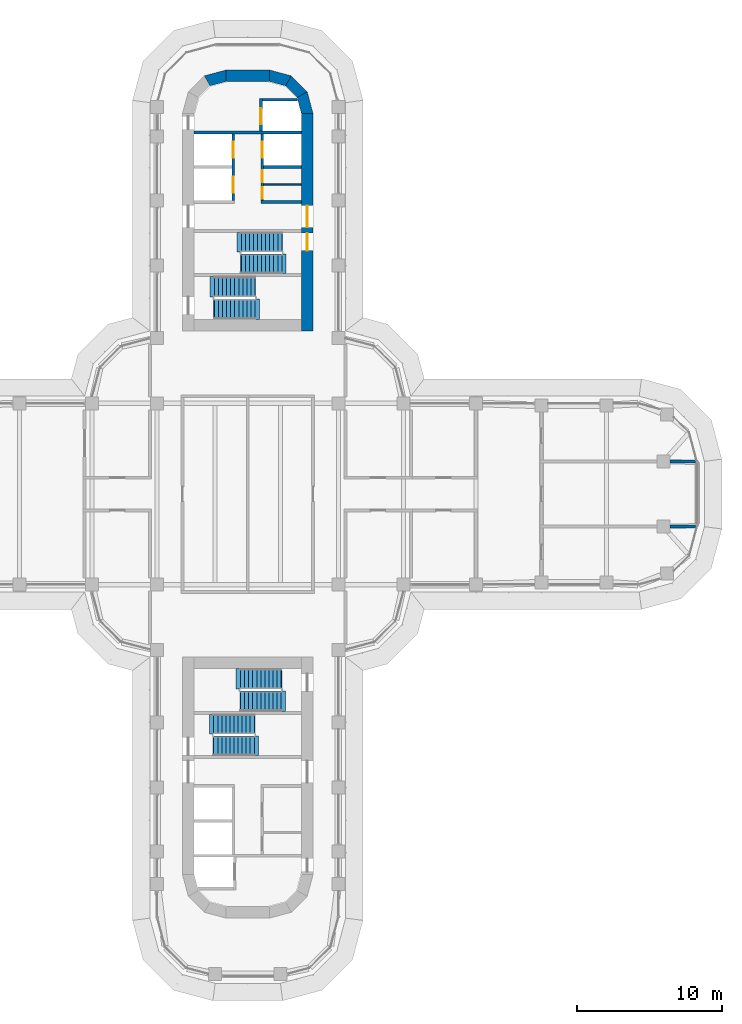
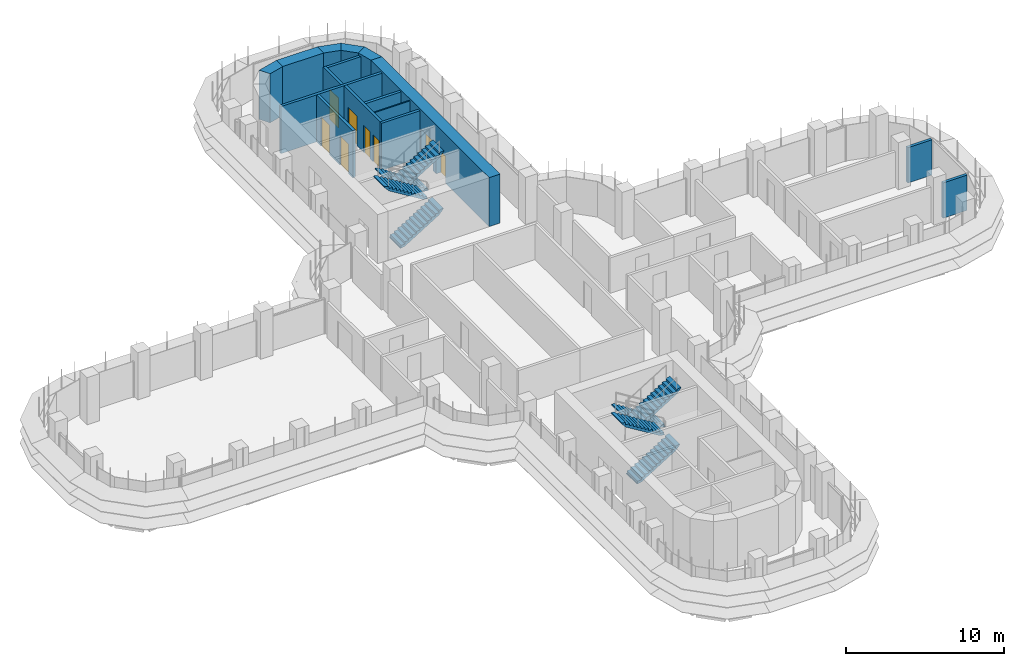
# One storey, part 17 of 21: 16 walls, 8 doors, 8 stair flights, 8 openings, 4 elements without a shape of their own.
"""IFC4 building model written with IfcOpenShell, lengths in metres."""

from ifc_helpers import new_model, si_unit, direction, frame, frame_2d, origin, place, context, subcontext, project, spatial, polyline, rectangle, outline, extrude, material, layer, layer_set, type_object, element, fill, aggregate, save


model = new_model("IFC4")

# Units and contexts
model_context = context("Model", 3, precision=1e-05, world=origin(), true_north=direction((0.0, 1.0)))
body_context = subcontext(model_context, "Body", "Model", "MODEL_VIEW")
ifc_project = project(units=[si_unit("LENGTHUNIT", "METRE"), si_unit("AREAUNIT", "SQUARE_METRE"), si_unit("VOLUMEUNIT", "CUBIC_METRE"), si_unit("PLANEANGLEUNIT", "RADIAN"), si_unit("MASSUNIT", "GRAM", prefix="KILO")], contexts=[model_context])

# Site, building, storey
site_placement = place(None, origin())
site = spatial("IfcSite", under=ifc_project, at=site_placement, CompositionType="ELEMENT")
building_placement = place(site_placement, origin())
building = spatial("IfcBuilding", under=site, at=building_placement, Name="Zarbagh Exchange Tower", CompositionType="ELEMENT")
storey_placement = place(building_placement, frame((0.0, 0.0, 128.39990234375)))
storey = spatial("IfcBuildingStorey", under=building, at=storey_placement, Name="L30", CompositionType="ELEMENT", Elevation=128.39990234375)

# Walls
ifc_material_1 = material(Name="Dense blockwork", Category="masonry")
ifc_layer_1 = layer(ifc_material_1, 0.10009765625)
ifc_layer_set_1 = layer_set([ifc_layer_1], Name="Core partition 100 mm blockwork")
wall_type_1 = type_object("IfcWallType", Name="Core partition 100 mm blockwork", PredefinedType="PARTITIONING", material=ifc_layer_set_1)
wall_1_placement = place(storey_placement, frame((1.10009765625, 21.35009765625, 0.0), z_axis=(0.0, 0.0, 1.0), x_axis=(1.0, 0.0, 0.0)))
element("IfcWall", 1, at=wall_1_placement, inside=storey, type_object=wall_type_1, Name="North core partition wall CUT-E-700", PredefinedType="PARTITIONING", context=body_context, shape_type="SweptSolid", body=[
    extrude(rectangle(XDim=2.599853515625, YDim=0.10009765625, at=frame_2d((1.2998046875, 0.0))), origin(), (0.0, 0.0, 1.0), 3.650146484375),
])
ifc_material_2 = material(Name="Fire-rated plasterboard partition")
ifc_layer_2 = layer(ifc_material_2, 0.199951171875)
ifc_layer_set_2 = layer_set([ifc_layer_2], Name="RATED PARTITION 200")
wall_type_2 = type_object("IfcWallType", Name="RATED PARTITION 200", PredefinedType="PARTITIONING", material=ifc_layer_set_2)
for number, where, z_axis, x_axis, name in (
    (2, (29.1201171875, -2.25, 0.0), (0.0, 0.0, 1.0), (1.0, 0.0, 0.0), "Partition W-1228"),
    (3, (29.1201171875, 2.25, 0.0), (0.0, 0.0, 1.0), (1.0, 0.0, 0.0), "Partition W-1230"),
):
    element("IfcWall", number, at=place(storey_placement, frame(where, z_axis=z_axis, x_axis=x_axis)), inside=storey, type_object=wall_type_2, Name=name, PredefinedType="PARTITIONING", context=body_context, shape_type="SweptSolid", body=[
        extrude(rectangle(XDim=1.759765625, YDim=0.199951171875, at=frame_2d((0.8798828125, 0.0))), origin(), (0.0, 0.0, 1.0), 2.73828125),
    ])
ifc_material_3 = material(Name="Concrete C60/75", Category="concrete")
ifc_layer_3 = layer(ifc_material_3, 0.800048828125)
ifc_layer_set_3 = layer_set([ifc_layer_3], Name="RC core corner wall 800 C60/75")
wall_type_3 = type_object("IfcWallType", Name="RC core corner wall 800 C60/75", PredefinedType="SHEAR", material=ifc_layer_set_3)
wall_2_placement = place(storey_placement, origin())
element("IfcWall", 4, at=wall_2_placement, inside=storey, type_object=wall_type_3, Name="CW4 core N corner W", PredefinedType="SHEAR", context=body_context, shape_type="SweptSolid", body=[
    extrude(outline(polyline([(-3.0, 28.84814453125), (-1.5, 29.25), (-1.5, 28.449951171875), (-2.60009765625, 28.1552734375), (-3.0, 28.84814453125)])), origin(), (0.0, 0.0, 1.0), 3.800048828125),
])
wall_3_placement = place(storey_placement, origin())
element("IfcWall", 5, at=wall_3_placement, inside=storey, type_object=wall_type_3, Name="CW4 core N corner E", PredefinedType="SHEAR", context=body_context, shape_type="SweptSolid", body=[
    extrude(outline(polyline([(4.5, 26.25), (4.09814453125, 27.75), (3.4052734375, 27.35009765625), (3.699951171875, 26.25), (4.5, 26.25)])), origin(), (0.0, 0.0, 1.0), 3.800048828125),
])
wall_4_placement = place(storey_placement, origin())
element("IfcWall", 6, at=wall_4_placement, inside=storey, type_object=wall_type_3, Name="CW4 core N corner E", PredefinedType="SHEAR", context=body_context, shape_type="SweptSolid", body=[
    extrude(outline(polyline([(4.09814453125, 27.75), (3.0, 28.84814453125), (2.60009765625, 28.1552734375), (3.4052734375, 27.35009765625), (4.09814453125, 27.75)])), origin(), (0.0, 0.0, 1.0), 3.800048828125),
])
wall_5_placement = place(storey_placement, origin())
element("IfcWall", 7, at=wall_5_placement, inside=storey, type_object=wall_type_3, Name="CW4 core N corner E", PredefinedType="SHEAR", context=body_context, shape_type="SweptSolid", body=[
    extrude(outline(polyline([(3.0, 28.84814453125), (1.5, 29.25), (1.5, 28.449951171875), (2.60009765625, 28.1552734375), (3.0, 28.84814453125)])), origin(), (0.0, 0.0, 1.0), 3.800048828125),
])

# Wall, openings, doors
ifc_layer_4 = layer(ifc_material_3, 0.800048828125)
ifc_layer_set_4 = layer_set([ifc_layer_4], Name="RC core wall 800 C60/75")
wall_type_4 = type_object("IfcWallType", Name="RC core wall 800 C60/75", PredefinedType="SHEAR", material=ifc_layer_set_4)
wall_6_placement = place(storey_placement, frame((4.10009765625, 11.25, 0.0), z_axis=(0.0, 0.0, 1.0), x_axis=(0.0, 1.0, 0.0)))
wall_6 = element("IfcWall", 8, at=wall_6_placement, inside=storey, type_object=wall_type_4, Name="CW3 core N E", PredefinedType="SHEAR", context=body_context, shape_type="SweptSolid", body=[
    extrude(rectangle(XDim=15.0, YDim=0.800048828125, at=frame_2d((7.5, 0.0))), origin(), (0.0, 0.0, 1.0), 3.800048828125),
])
opening_1_placement = place(wall_6_placement, frame((7.14990234375, 0.0, 0.0)))
opening_1 = element("IfcOpeningElement", 9, at=opening_1_placement, cuts=wall_6, Name="Opening CD1-1500", PredefinedType="OPENING", context=body_context, shape_type="SweptSolid", body=[
    extrude(rectangle(XDim=1.5, YDim=2.300048828125, at=frame_2d((0.75, 1.14990234375))), frame((0.0, 0.409912109375, 0.0), z_axis=(0.0, -1.0, 0.0), x_axis=(1.0, 0.0, 0.0)), (0.0, 0.0, 1.0), 0.820068359375),
])
opening_2_placement = place(wall_6_placement, frame((5.550048828125, 0.0, 0.0)))
opening_2 = element("IfcOpeningElement", 10, at=opening_2_placement, cuts=wall_6, Name="Opening SD1-1200", PredefinedType="OPENING", context=body_context, shape_type="SweptSolid", body=[
    extrude(rectangle(XDim=1.199951171875, YDim=2.10009765625, at=frame_2d((0.60009765625, 1.050048828125))), frame((0.0, 0.409912109375, 0.0), z_axis=(0.0, -1.0, 0.0), x_axis=(1.0, 0.0, 0.0)), (0.0, 0.0, 1.0), 0.820068359375),
])
ifc_material_4 = material(Name="Steel", Category="steel")
door_type_1 = type_object("IfcDoorType", Name="Exit stair door 1200 x 2100", OperationType="NOTDEFINED", PredefinedType="DOOR", material=ifc_material_4)
door_1_placement = place(opening_2_placement, origin())
door_1 = element("IfcDoor", 11, at=door_1_placement, inside=storey, type_object=door_type_1, Name="North core stair door ST1", OperationType="SINGLE_SWING_RIGHT", OverallHeight=2.10009765625, OverallWidth=1.199951171875, PredefinedType="DOOR", context=body_context, shape_type="SweptSolid", body=[
    extrude(rectangle(XDim=1.199951171875, YDim=2.10009765625, at=frame_2d((0.60009765625, 1.050048828125))), frame((0.0, 0.02490234375, 0.0), z_axis=(0.0, -1.0, 0.0), x_axis=(1.0, 0.0, 0.0)), (0.0, 0.0, 1.0), 0.050048828125),
])
fill(opening_2, door_1)
door_type_2 = type_object("IfcDoorType", Name="Lift lobby double door 1500 x 2300", OperationType="NOTDEFINED", PredefinedType="DOOR", material=ifc_material_4)
door_2_placement = place(opening_1_placement, origin())
door_2 = element("IfcDoor", 12, at=door_2_placement, inside=storey, type_object=door_type_2, Name="North core lift lobby door LOBBY-E", OperationType="DOUBLE_DOOR_SINGLE_SWING", OverallHeight=2.300048828125, OverallWidth=1.5, PredefinedType="DOOR", context=body_context, shape_type="SweptSolid", body=[
    extrude(rectangle(XDim=1.5, YDim=2.300048828125, at=frame_2d((0.75, 1.14990234375))), frame((0.0, 0.02490234375, 0.0), z_axis=(0.0, -1.0, 0.0), x_axis=(1.0, 0.0, 0.0)), (0.0, 0.0, 1.0), 0.050048828125),
])
fill(opening_1, door_2)

# Wall
wall_7_placement = place(storey_placement, frame((-1.5, 28.85009765625, 0.0), z_axis=(0.0, 0.0, 1.0), x_axis=(1.0, 0.0, 0.0)))
element("IfcWall", 13, at=wall_7_placement, inside=storey, type_object=wall_type_4, Name="CW3 core N outer end", PredefinedType="SHEAR", context=body_context, shape_type="SweptSolid", body=[
    extrude(rectangle(XDim=3.0, YDim=0.800048828125, at=frame_2d((1.5, 0.0))), origin(), (0.0, 0.0, 1.0), 3.800048828125),
])

# Wall, openings, doors
ifc_layer_5 = layer(ifc_material_1, 0.199951171875)
ifc_layer_set_5 = layer_set([ifc_layer_5], Name="Shaft wall 200 mm blockwork")
wall_type_5 = type_object("IfcWallType", Name="Shaft wall 200 mm blockwork", PredefinedType="PARTITIONING", material=ifc_layer_set_5)
wall_8_placement = place(storey_placement, frame((-1.0, 24.85009765625, 0.0), z_axis=(0.0, 0.0, 1.0), x_axis=(0.0, -1.0, 0.0)))
wall_8 = element("IfcWall", 14, at=wall_8_placement, inside=storey, type_object=wall_type_5, Name="North core shaft wall LW-W", PredefinedType="PARTITIONING", context=body_context, shape_type="SweptSolid", body=[
    extrude(rectangle(XDim=4.60009765625, YDim=0.199951171875, at=frame_2d((2.300048828125, 0.0))), origin(), (0.0, 0.0, 1.0), 3.650146484375),
])
opening_3_placement = place(wall_8_placement, frame((0.550048828125, 0.0, 0.0)))
opening_3 = element("IfcOpeningElement", 15, at=opening_3_placement, cuts=wall_8, Name="Opening LD-1100", PredefinedType="OPENING", context=body_context, shape_type="SweptSolid", body=[
    extrude(rectangle(XDim=1.10009765625, YDim=2.300048828125, at=frame_2d((0.550048828125, 1.14990234375))), frame((0.0, 0.10986328125, 0.0), z_axis=(0.0, -1.0, 0.0), x_axis=(1.0, 0.0, 0.0)), (0.0, 0.0, 1.0), 0.219970703125),
])
opening_4_placement = place(wall_8_placement, frame((2.949951171875, 0.0, 0.0)))
opening_4 = element("IfcOpeningElement", 16, at=opening_4_placement, cuts=wall_8, Name="Opening LD-1100", PredefinedType="OPENING", context=body_context, shape_type="SweptSolid", body=[
    extrude(rectangle(XDim=1.10009765625, YDim=2.300048828125, at=frame_2d((0.550048828125, 1.14990234375))), frame((0.0, 0.10986328125, 0.0), z_axis=(0.0, -1.0, 0.0), x_axis=(1.0, 0.0, 0.0)), (0.0, 0.0, 1.0), 0.219970703125),
])
ifc_material_5 = material(Name="Stainless steel", Category="steel")
door_type_3 = type_object("IfcDoorType", Name="Lift landing door 1100 x 2300", OperationType="NOTDEFINED", PredefinedType="DOOR", material=ifc_material_5)
door_3_placement = place(opening_3_placement, origin())
door_3 = element("IfcDoor", 17, at=door_3_placement, inside=storey, type_object=door_type_3, Name="North core lift landing door LD-P-N1", OperationType="DOUBLE_DOOR_SLIDING", OverallHeight=2.300048828125, OverallWidth=1.10009765625, PredefinedType="DOOR", context=body_context, shape_type="SweptSolid", body=[
    extrude(rectangle(XDim=1.10009765625, YDim=2.300048828125, at=frame_2d((0.550048828125, 1.14990234375))), frame((0.0, 0.02490234375, 0.0), z_axis=(0.0, -1.0, 0.0), x_axis=(1.0, 0.0, 0.0)), (0.0, 0.0, 1.0), 0.050048828125),
])
fill(opening_3, door_3)
door_4_placement = place(opening_4_placement, origin())
door_4 = element("IfcDoor", 18, at=door_4_placement, inside=storey, type_object=door_type_3, Name="North core lift landing door LD-P-N2", OperationType="DOUBLE_DOOR_SLIDING", OverallHeight=2.300048828125, OverallWidth=1.10009765625, PredefinedType="DOOR", context=body_context, shape_type="SweptSolid", body=[
    extrude(rectangle(XDim=1.10009765625, YDim=2.300048828125, at=frame_2d((0.550048828125, 1.14990234375))), frame((0.0, 0.02490234375, 0.0), z_axis=(0.0, -1.0, 0.0), x_axis=(1.0, 0.0, 0.0)), (0.0, 0.0, 1.0), 0.050048828125),
])
fill(opening_4, door_4)

# Wall
wall_9_placement = place(storey_placement, frame((0.89990234375, 20.14990234375, 0.0), z_axis=(0.0, 0.0, 1.0), x_axis=(1.0, 0.0, 0.0)))
element("IfcWall", 19, at=wall_9_placement, inside=storey, type_object=wall_type_5, Name="North core shaft wall AB-E", PredefinedType="PARTITIONING", context=body_context, shape_type="SweptSolid", body=[
    extrude(rectangle(XDim=2.800048828125, YDim=0.199951171875, at=frame_2d((1.39990234375, 0.0))), origin(), (0.0, 0.0, 1.0), 3.650146484375),
])

# Wall, openings, doors
wall_10_placement = place(storey_placement, frame((1.0, 24.85009765625, 0.0), z_axis=(0.0, 0.0, 1.0), x_axis=(0.0, -1.0, 0.0)))
wall_10 = element("IfcWall", 20, at=wall_10_placement, inside=storey, type_object=wall_type_5, Name="North core shaft wall LW-E", PredefinedType="PARTITIONING", context=body_context, shape_type="SweptSolid", body=[
    extrude(rectangle(XDim=4.60009765625, YDim=0.199951171875, at=frame_2d((2.300048828125, 0.0))), origin(), (0.0, 0.0, 1.0), 3.650146484375),
])
opening_5_placement = place(wall_10_placement, frame((0.550048828125, 0.0, 0.0)))
opening_5 = element("IfcOpeningElement", 21, at=opening_5_placement, cuts=wall_10, Name="Opening LD-1100", PredefinedType="OPENING", context=body_context, shape_type="SweptSolid", body=[
    extrude(rectangle(XDim=1.10009765625, YDim=2.300048828125, at=frame_2d((0.550048828125, 1.14990234375))), frame((0.0, 0.10986328125, 0.0), z_axis=(0.0, -1.0, 0.0), x_axis=(1.0, 0.0, 0.0)), (0.0, 0.0, 1.0), 0.219970703125),
])
opening_6_placement = place(wall_10_placement, frame((2.52490234375, 0.0, 0.0)))
opening_6 = element("IfcOpeningElement", 22, at=opening_6_placement, cuts=wall_10, Name="Opening CD3-800", PredefinedType="OPENING", context=body_context, shape_type="SweptSolid", body=[
    extrude(rectangle(XDim=0.800048828125, YDim=2.10009765625, at=frame_2d((0.39990234375, 1.050048828125))), frame((0.0, 0.10986328125, 0.0), z_axis=(0.0, -1.0, 0.0), x_axis=(1.0, 0.0, 0.0)), (0.0, 0.0, 1.0), 0.219970703125),
])
opening_7_placement = place(wall_10_placement, frame((3.675048828125, 0.0, 0.0)))
opening_7 = element("IfcOpeningElement", 23, at=opening_7_placement, cuts=wall_10, Name="Opening CD3-800", PredefinedType="OPENING", context=body_context, shape_type="SweptSolid", body=[
    extrude(rectangle(XDim=0.800048828125, YDim=2.10009765625, at=frame_2d((0.39990234375, 1.050048828125))), frame((0.0, 0.10986328125, 0.0), z_axis=(0.0, -1.0, 0.0), x_axis=(1.0, 0.0, 0.0)), (0.0, 0.0, 1.0), 0.219970703125),
])
door_type_4 = type_object("IfcDoorType", Name="Core room door 800 x 2100", OperationType="NOTDEFINED", PredefinedType="DOOR", material=ifc_material_4)
door_5_placement = place(opening_6_placement, origin())
door_5 = element("IfcDoor", 24, at=door_5_placement, inside=storey, type_object=door_type_4, Name="North core Store door RD-E-0", OperationType="SINGLE_SWING_RIGHT", OverallHeight=2.10009765625, OverallWidth=0.800048828125, PredefinedType="DOOR", context=body_context, shape_type="SweptSolid", body=[
    extrude(rectangle(XDim=0.800048828125, YDim=2.10009765625, at=frame_2d((0.39990234375, 1.050048828125))), frame((0.0, 0.02490234375, 0.0), z_axis=(0.0, -1.0, 0.0), x_axis=(1.0, 0.0, 0.0)), (0.0, 0.0, 1.0), 0.050048828125),
])
fill(opening_6, door_5)
door_6_placement = place(opening_7_placement, origin())
door_6 = element("IfcDoor", 25, at=door_6_placement, inside=storey, type_object=door_type_4, Name="North core IT room door RD-E-1", OperationType="SINGLE_SWING_LEFT", OverallHeight=2.10009765625, OverallWidth=0.800048828125, PredefinedType="DOOR", context=body_context, shape_type="SweptSolid", body=[
    extrude(rectangle(XDim=0.800048828125, YDim=2.10009765625, at=frame_2d((0.39990234375, 1.050048828125))), frame((0.0, 0.02490234375, 0.0), z_axis=(0.0, -1.0, 0.0), x_axis=(1.0, 0.0, 0.0)), (0.0, 0.0, 1.0), 0.050048828125),
])
fill(opening_7, door_6)
door_7_placement = place(opening_5_placement, origin())
door_7 = element("IfcDoor", 26, at=door_7_placement, inside=storey, type_object=door_type_3, Name="North core lift landing door LD-P-N3", OperationType="DOUBLE_DOOR_SLIDING", OverallHeight=2.300048828125, OverallWidth=1.10009765625, PredefinedType="DOOR", context=body_context, shape_type="SweptSolid", body=[
    extrude(rectangle(XDim=1.10009765625, YDim=2.300048828125, at=frame_2d((0.550048828125, 1.14990234375))), frame((0.0, 0.02490234375, 0.0), z_axis=(0.0, -1.0, 0.0), x_axis=(1.0, 0.0, 0.0)), (0.0, 0.0, 1.0), 0.050048828125),
])
fill(opening_5, door_7)

# Walls
wall_11_placement = place(storey_placement, frame((1.10009765625, 22.550048828125, 0.0), z_axis=(0.0, 0.0, 1.0), x_axis=(1.0, 0.0, 0.0)))
element("IfcWall", 27, at=wall_11_placement, inside=storey, type_object=wall_type_5, Name="North core shaft wall TR-E", PredefinedType="PARTITIONING", context=body_context, shape_type="SweptSolid", body=[
    extrude(rectangle(XDim=2.599853515625, YDim=0.199951171875, at=frame_2d((1.2998046875, 0.0))), origin(), (0.0, 0.0, 1.0), 3.650146484375),
])
ifc_material_6 = material(Name="Concrete C40/50", Category="concrete")
ifc_layer_6 = layer(ifc_material_6, 0.199951171875)
ifc_layer_set_6 = layer_set([ifc_layer_6], Name="Stair enclosure wall 200 mm RC C40/50")
wall_type_6 = type_object("IfcWallType", Name="Stair enclosure wall 200 mm RC C40/50", PredefinedType="SHEAR", material=ifc_layer_set_6)
wall_12_placement = place(storey_placement, frame((-3.699951171875, 24.949951171875, 0.0), z_axis=(0.0, 0.0, 1.0), x_axis=(1.0, 0.0, 0.0)))
element("IfcWall", 28, at=wall_12_placement, inside=storey, type_object=wall_type_6, Name="North core lift shaft wall FFA", PredefinedType="SHEAR", context=body_context, shape_type="SweptSolid", body=[
    extrude(rectangle(XDim=7.39990234375, YDim=0.199951171875, at=frame_2d((3.699951171875, 0.0))), origin(), (0.0, 0.0, 1.0), 3.650146484375),
])

# Wall, opening, door
wall_13_placement = place(storey_placement, frame((0.89990234375, 27.300048828125, 0.0), z_axis=(0.0, 0.0, 1.0), x_axis=(0.0, -1.0, 0.0)))
wall_13 = element("IfcWall", 29, at=wall_13_placement, inside=storey, type_object=wall_type_6, Name="North core lift shaft wall FFL", PredefinedType="SHEAR", context=body_context, shape_type="SweptSolid", body=[
    extrude(rectangle(XDim=2.25, YDim=0.199951171875, at=frame_2d((1.125, 0.0))), origin(), (0.0, 0.0, 1.0), 3.650146484375),
])
opening_8_placement = place(wall_13_placement, frame((0.699951171875, 0.0, 0.0)))
opening_8 = element("IfcOpeningElement", 30, at=opening_8_placement, cuts=wall_13, Name="Opening LD-1100", PredefinedType="OPENING", context=body_context, shape_type="SweptSolid", body=[
    extrude(rectangle(XDim=1.10009765625, YDim=2.300048828125, at=frame_2d((0.550048828125, 1.14990234375))), frame((0.0, 0.10986328125, 0.0), z_axis=(0.0, -1.0, 0.0), x_axis=(1.0, 0.0, 0.0)), (0.0, 0.0, 1.0), 0.219970703125),
])
door_8_placement = place(opening_8_placement, origin())
door_8 = element("IfcDoor", 31, at=door_8_placement, inside=storey, type_object=door_type_3, Name="North core lift landing door LD-F", OperationType="DOUBLE_DOOR_SLIDING", OverallHeight=2.300048828125, OverallWidth=1.10009765625, PredefinedType="DOOR", context=body_context, shape_type="SweptSolid", body=[
    extrude(rectangle(XDim=1.10009765625, YDim=2.300048828125, at=frame_2d((0.550048828125, 1.14990234375))), frame((0.0, 0.02490234375, 0.0), z_axis=(0.0, -1.0, 0.0), x_axis=(1.0, 0.0, 0.0)), (0.0, 0.0, 1.0), 0.050048828125),
])
fill(opening_8, door_8)

# Wall
wall_14_placement = place(storey_placement, origin())
element("IfcWall", 32, at=wall_14_placement, inside=storey, type_object=wall_type_6, Name="North core lift shaft wall FFX", PredefinedType="SHEAR", context=body_context, shape_type="SweptSolid", body=[
    extrude(outline(polyline([(1.0, 27.10009765625), (3.444091796875, 27.10009765625), (3.390380859375, 27.300048828125), (1.0, 27.300048828125), (1.0, 27.10009765625)])), origin(), (0.0, 0.0, 1.0), 3.650146484375),
])

# Stair, stair flights
stair_type = type_object("IfcStairType", Name="Exit stair two-flight half-turn", PredefinedType="HALF_TURN_STAIR", material=ifc_material_6)
stair_1_placement = place(storey_placement, origin())
stair_1 = element("IfcStair", 33, at=stair_1_placement, inside=storey, type_object=stair_type, Name="exit stair ST1", PredefinedType="HALF_TURN_STAIR")
stair_flight_type_1 = type_object("IfcStairFlightType", Name="Stair flight 1350 mm", PredefinedType="STRAIGHT", material=ifc_material_6)
stair_flight_1_placement = place(storey_placement, frame((2.35009765625, 17.375, 0.0), z_axis=(0.0, 0.0, 1.0), x_axis=(-1.0, 0.0, 0.0)))
stair_flight_1 = element("IfcStairFlight", 34, at=stair_flight_1_placement, type_object=stair_flight_type_1, Name="ST1 flight 1", NumberOfRisers=11, NumberOfTreads=10, PredefinedType="STRAIGHT", RiserHeight=0.172727273, TreadLength=0.28, context=body_context, shape_type="SweptSolid", body=[
    extrude(outline(polyline([(-0.050048828125, -0.050048828125), (-0.050048828125, 0.0), (0.0, 0.0), (0.0, 0.172607421875), (0.280029296875, 0.172607421875), (0.280029296875, 0.345458984375), (0.56005859375, 0.345458984375), (0.56005859375, 0.51806640625), (0.840087890625, 0.51806640625), (0.840087890625, 0.69091796875), (1.1201171875, 0.69091796875), (1.1201171875, 0.863525390625), (1.39990234375, 0.863525390625), (1.39990234375, 1.036376953125), (1.679931640625, 1.036376953125), (1.679931640625, 1.208984375), (1.9599609375, 1.208984375), (1.9599609375, 1.3818359375), (2.239990234375, 1.3818359375), (2.239990234375, 1.554443359375), (2.52001953125, 1.554443359375), (2.52001953125, 1.727294921875), (2.800048828125, 1.727294921875), (2.800048828125, 1.89990234375), (3.10009765625, 1.97998046875), (3.10009765625, 1.89990234375), (2.800048828125, 1.551025390625), (0.285400390625, 0.0), (-0.050048828125, -0.050048828125)])), frame((0.0, 0.675048828125, 0.0), z_axis=(0.0, -1.0, 0.0), x_axis=(1.0, 0.0, 0.0)), (0.0, 0.0, 1.0), 1.35009765625),
])
stair_flight_2_placement = place(storey_placement, frame((-0.449951171875, 15.875, 1.900146484375), z_axis=(0.0, 0.0, 1.0), x_axis=(1.0, 0.0, 0.0)))
stair_flight_2 = element("IfcStairFlight", 35, at=stair_flight_2_placement, type_object=stair_flight_type_1, Name="ST1 flight 2", NumberOfRisers=11, NumberOfTreads=10, PredefinedType="STRAIGHT", RiserHeight=0.172727273, TreadLength=0.28, context=body_context, shape_type="SweptSolid", body=[
    extrude(outline(polyline([(-0.050048828125, -0.050048828125), (-0.050048828125, 0.0), (0.0, 0.0), (0.0, 0.172607421875), (0.280029296875, 0.172607421875), (0.280029296875, 0.345458984375), (0.56005859375, 0.345458984375), (0.56005859375, 0.51806640625), (0.840087890625, 0.51806640625), (0.840087890625, 0.69091796875), (1.1201171875, 0.69091796875), (1.1201171875, 0.863525390625), (1.39990234375, 0.863525390625), (1.39990234375, 1.036376953125), (1.679931640625, 1.036376953125), (1.679931640625, 1.208984375), (1.9599609375, 1.208984375), (1.9599609375, 1.3818359375), (2.239990234375, 1.3818359375), (2.239990234375, 1.554443359375), (2.52001953125, 1.554443359375), (2.52001953125, 1.727294921875), (2.800048828125, 1.727294921875), (2.800048828125, 1.89990234375), (3.10009765625, 1.97998046875), (3.10009765625, 1.89990234375), (2.800048828125, 1.551025390625), (0.285400390625, 0.0), (-0.050048828125, -0.050048828125)])), frame((0.0, 0.675048828125, 0.0), z_axis=(0.0, -1.0, 0.0), x_axis=(1.0, 0.0, 0.0)), (0.0, 0.0, 1.0), 1.35009765625),
])
aggregate(stair_1, [stair_flight_1, stair_flight_2])

stair_2_placement = place(storey_placement, origin())
stair_2 = element("IfcStair", 36, at=stair_2_placement, inside=storey, type_object=stair_type, Name="exit stair ST3", PredefinedType="HALF_TURN_STAIR")
stair_flight_3_placement = place(storey_placement, frame((-2.35009765625, -17.375, 0.0), z_axis=(0.0, 0.0, 1.0), x_axis=(1.0, 0.0, 0.0)))
stair_flight_3 = element("IfcStairFlight", 37, at=stair_flight_3_placement, type_object=stair_flight_type_1, Name="ST3 flight 1", NumberOfRisers=11, NumberOfTreads=10, PredefinedType="STRAIGHT", RiserHeight=0.172727273, TreadLength=0.28, context=body_context, shape_type="SweptSolid", body=[
    extrude(outline(polyline([(-0.050048828125, -0.050048828125), (-0.050048828125, 0.0), (0.0, 0.0), (0.0, 0.172607421875), (0.280029296875, 0.172607421875), (0.280029296875, 0.345458984375), (0.56005859375, 0.345458984375), (0.56005859375, 0.51806640625), (0.840087890625, 0.51806640625), (0.840087890625, 0.69091796875), (1.1201171875, 0.69091796875), (1.1201171875, 0.863525390625), (1.39990234375, 0.863525390625), (1.39990234375, 1.036376953125), (1.679931640625, 1.036376953125), (1.679931640625, 1.208984375), (1.9599609375, 1.208984375), (1.9599609375, 1.3818359375), (2.239990234375, 1.3818359375), (2.239990234375, 1.554443359375), (2.52001953125, 1.554443359375), (2.52001953125, 1.727294921875), (2.800048828125, 1.727294921875), (2.800048828125, 1.89990234375), (3.10009765625, 1.97998046875), (3.10009765625, 1.89990234375), (2.800048828125, 1.551025390625), (0.285400390625, 0.0), (-0.050048828125, -0.050048828125)])), frame((0.0, 0.675048828125, 0.0), z_axis=(0.0, -1.0, 0.0), x_axis=(1.0, 0.0, 0.0)), (0.0, 0.0, 1.0), 1.35009765625),
])
stair_flight_4_placement = place(storey_placement, frame((0.449951171875, -15.875, 1.900146484375), z_axis=(0.0, 0.0, 1.0), x_axis=(-1.0, 0.0, 0.0)))
stair_flight_4 = element("IfcStairFlight", 38, at=stair_flight_4_placement, type_object=stair_flight_type_1, Name="ST3 flight 2", NumberOfRisers=11, NumberOfTreads=10, PredefinedType="STRAIGHT", RiserHeight=0.172727273, TreadLength=0.28, context=body_context, shape_type="SweptSolid", body=[
    extrude(outline(polyline([(-0.050048828125, -0.050048828125), (-0.050048828125, 0.0), (0.0, 0.0), (0.0, 0.172607421875), (0.280029296875, 0.172607421875), (0.280029296875, 0.345458984375), (0.56005859375, 0.345458984375), (0.56005859375, 0.51806640625), (0.840087890625, 0.51806640625), (0.840087890625, 0.69091796875), (1.1201171875, 0.69091796875), (1.1201171875, 0.863525390625), (1.39990234375, 0.863525390625), (1.39990234375, 1.036376953125), (1.679931640625, 1.036376953125), (1.679931640625, 1.208984375), (1.9599609375, 1.208984375), (1.9599609375, 1.3818359375), (2.239990234375, 1.3818359375), (2.239990234375, 1.554443359375), (2.52001953125, 1.554443359375), (2.52001953125, 1.727294921875), (2.800048828125, 1.727294921875), (2.800048828125, 1.89990234375), (3.10009765625, 1.97998046875), (3.10009765625, 1.89990234375), (2.800048828125, 1.551025390625), (0.285400390625, 0.0), (-0.050048828125, -0.050048828125)])), frame((0.0, 0.675048828125, 0.0), z_axis=(0.0, -1.0, 0.0), x_axis=(1.0, 0.0, 0.0)), (0.0, 0.0, 1.0), 1.35009765625),
])
aggregate(stair_2, [stair_flight_3, stair_flight_4])

stair_3_placement = place(storey_placement, origin())
stair_3 = element("IfcStair", 39, at=stair_3_placement, inside=storey, type_object=stair_type, Name="exit stair ST2", PredefinedType="HALF_TURN_STAIR")
stair_flight_type_2 = type_object("IfcStairFlightType", Name="Stair flight 1400 mm", PredefinedType="STRAIGHT", material=ifc_material_6)
stair_flight_5_placement = place(storey_placement, frame((-2.300048828125, 12.75, 0.0), z_axis=(0.0, 0.0, 1.0), x_axis=(1.0, 0.0, 0.0)))
stair_flight_5 = element("IfcStairFlight", 40, at=stair_flight_5_placement, type_object=stair_flight_type_2, Name="ST2 flight 1", NumberOfRisers=11, NumberOfTreads=10, PredefinedType="STRAIGHT", RiserHeight=0.172727273, TreadLength=0.28, context=body_context, shape_type="SweptSolid", body=[
    extrude(outline(polyline([(-0.050048828125, -0.050048828125), (-0.050048828125, 0.0), (0.0, 0.0), (0.0, 0.172607421875), (0.280029296875, 0.172607421875), (0.280029296875, 0.345458984375), (0.56005859375, 0.345458984375), (0.56005859375, 0.51806640625), (0.840087890625, 0.51806640625), (0.840087890625, 0.69091796875), (1.1201171875, 0.69091796875), (1.1201171875, 0.863525390625), (1.39990234375, 0.863525390625), (1.39990234375, 1.036376953125), (1.679931640625, 1.036376953125), (1.679931640625, 1.208984375), (1.9599609375, 1.208984375), (1.9599609375, 1.3818359375), (2.239990234375, 1.3818359375), (2.239990234375, 1.554443359375), (2.52001953125, 1.554443359375), (2.52001953125, 1.727294921875), (2.800048828125, 1.727294921875), (2.800048828125, 1.89990234375), (3.10009765625, 1.97998046875), (3.10009765625, 1.89990234375), (2.800048828125, 1.551025390625), (0.285400390625, 0.0), (-0.050048828125, -0.050048828125)])), frame((0.0, 0.699951171875, 0.0), z_axis=(0.0, -1.0, 0.0), x_axis=(1.0, 0.0, 0.0)), (0.0, 0.0, 1.0), 1.39990234375),
])
stair_flight_6_placement = place(storey_placement, frame((0.5, 14.300048828125, 1.900146484375), z_axis=(0.0, 0.0, 1.0), x_axis=(-1.0, 0.0, 0.0)))
stair_flight_6 = element("IfcStairFlight", 41, at=stair_flight_6_placement, type_object=stair_flight_type_2, Name="ST2 flight 2", NumberOfRisers=11, NumberOfTreads=10, PredefinedType="STRAIGHT", RiserHeight=0.172727273, TreadLength=0.28, context=body_context, shape_type="SweptSolid", body=[
    extrude(outline(polyline([(-0.050048828125, -0.050048828125), (-0.050048828125, 0.0), (0.0, 0.0), (0.0, 0.172607421875), (0.280029296875, 0.172607421875), (0.280029296875, 0.345458984375), (0.56005859375, 0.345458984375), (0.56005859375, 0.51806640625), (0.840087890625, 0.51806640625), (0.840087890625, 0.69091796875), (1.1201171875, 0.69091796875), (1.1201171875, 0.863525390625), (1.39990234375, 0.863525390625), (1.39990234375, 1.036376953125), (1.679931640625, 1.036376953125), (1.679931640625, 1.208984375), (1.9599609375, 1.208984375), (1.9599609375, 1.3818359375), (2.239990234375, 1.3818359375), (2.239990234375, 1.554443359375), (2.52001953125, 1.554443359375), (2.52001953125, 1.727294921875), (2.800048828125, 1.727294921875), (2.800048828125, 1.89990234375), (3.10009765625, 1.97998046875), (3.10009765625, 1.89990234375), (2.800048828125, 1.551025390625), (0.285400390625, 0.0), (-0.050048828125, -0.050048828125)])), frame((0.0, 0.699951171875, 0.0), z_axis=(0.0, -1.0, 0.0), x_axis=(1.0, 0.0, 0.0)), (0.0, 0.0, 1.0), 1.39990234375),
])
aggregate(stair_3, [stair_flight_5, stair_flight_6])

stair_4_placement = place(storey_placement, origin())
stair_4 = element("IfcStair", 42, at=stair_4_placement, inside=storey, type_object=stair_type, Name="exit stair ST4", PredefinedType="HALF_TURN_STAIR")
stair_flight_7_placement = place(storey_placement, frame((2.300048828125, -12.75, 0.0), z_axis=(0.0, 0.0, 1.0), x_axis=(-1.0, 0.0, 0.0)))
stair_flight_7 = element("IfcStairFlight", 43, at=stair_flight_7_placement, type_object=stair_flight_type_2, Name="ST4 flight 1", NumberOfRisers=11, NumberOfTreads=10, PredefinedType="STRAIGHT", RiserHeight=0.172727273, TreadLength=0.28, context=body_context, shape_type="SweptSolid", body=[
    extrude(outline(polyline([(-0.050048828125, -0.050048828125), (-0.050048828125, 0.0), (0.0, 0.0), (0.0, 0.172607421875), (0.280029296875, 0.172607421875), (0.280029296875, 0.345458984375), (0.56005859375, 0.345458984375), (0.56005859375, 0.51806640625), (0.840087890625, 0.51806640625), (0.840087890625, 0.69091796875), (1.1201171875, 0.69091796875), (1.1201171875, 0.863525390625), (1.39990234375, 0.863525390625), (1.39990234375, 1.036376953125), (1.679931640625, 1.036376953125), (1.679931640625, 1.208984375), (1.9599609375, 1.208984375), (1.9599609375, 1.3818359375), (2.239990234375, 1.3818359375), (2.239990234375, 1.554443359375), (2.52001953125, 1.554443359375), (2.52001953125, 1.727294921875), (2.800048828125, 1.727294921875), (2.800048828125, 1.89990234375), (3.10009765625, 1.97998046875), (3.10009765625, 1.89990234375), (2.800048828125, 1.551025390625), (0.285400390625, 0.0), (-0.050048828125, -0.050048828125)])), frame((0.0, 0.699951171875, 0.0), z_axis=(0.0, -1.0, 0.0), x_axis=(1.0, 0.0, 0.0)), (0.0, 0.0, 1.0), 1.39990234375),
])
stair_flight_8_placement = place(storey_placement, frame((-0.5, -14.300048828125, 1.900146484375), z_axis=(0.0, 0.0, 1.0), x_axis=(1.0, 0.0, 0.0)))
stair_flight_8 = element("IfcStairFlight", 44, at=stair_flight_8_placement, type_object=stair_flight_type_2, Name="ST4 flight 2", NumberOfRisers=11, NumberOfTreads=10, PredefinedType="STRAIGHT", RiserHeight=0.172727273, TreadLength=0.28, context=body_context, shape_type="SweptSolid", body=[
    extrude(outline(polyline([(-0.050048828125, -0.050048828125), (-0.050048828125, 0.0), (0.0, 0.0), (0.0, 0.172607421875), (0.280029296875, 0.172607421875), (0.280029296875, 0.345458984375), (0.56005859375, 0.345458984375), (0.56005859375, 0.51806640625), (0.840087890625, 0.51806640625), (0.840087890625, 0.69091796875), (1.1201171875, 0.69091796875), (1.1201171875, 0.863525390625), (1.39990234375, 0.863525390625), (1.39990234375, 1.036376953125), (1.679931640625, 1.036376953125), (1.679931640625, 1.208984375), (1.9599609375, 1.208984375), (1.9599609375, 1.3818359375), (2.239990234375, 1.3818359375), (2.239990234375, 1.554443359375), (2.52001953125, 1.554443359375), (2.52001953125, 1.727294921875), (2.800048828125, 1.727294921875), (2.800048828125, 1.89990234375), (3.10009765625, 1.97998046875), (3.10009765625, 1.89990234375), (2.800048828125, 1.551025390625), (0.285400390625, 0.0), (-0.050048828125, -0.050048828125)])), frame((0.0, 0.699951171875, 0.0), z_axis=(0.0, -1.0, 0.0), x_axis=(1.0, 0.0, 0.0)), (0.0, 0.0, 1.0), 1.39990234375),
])
aggregate(stair_4, [stair_flight_7, stair_flight_8])

save(model, "model.ifc")
